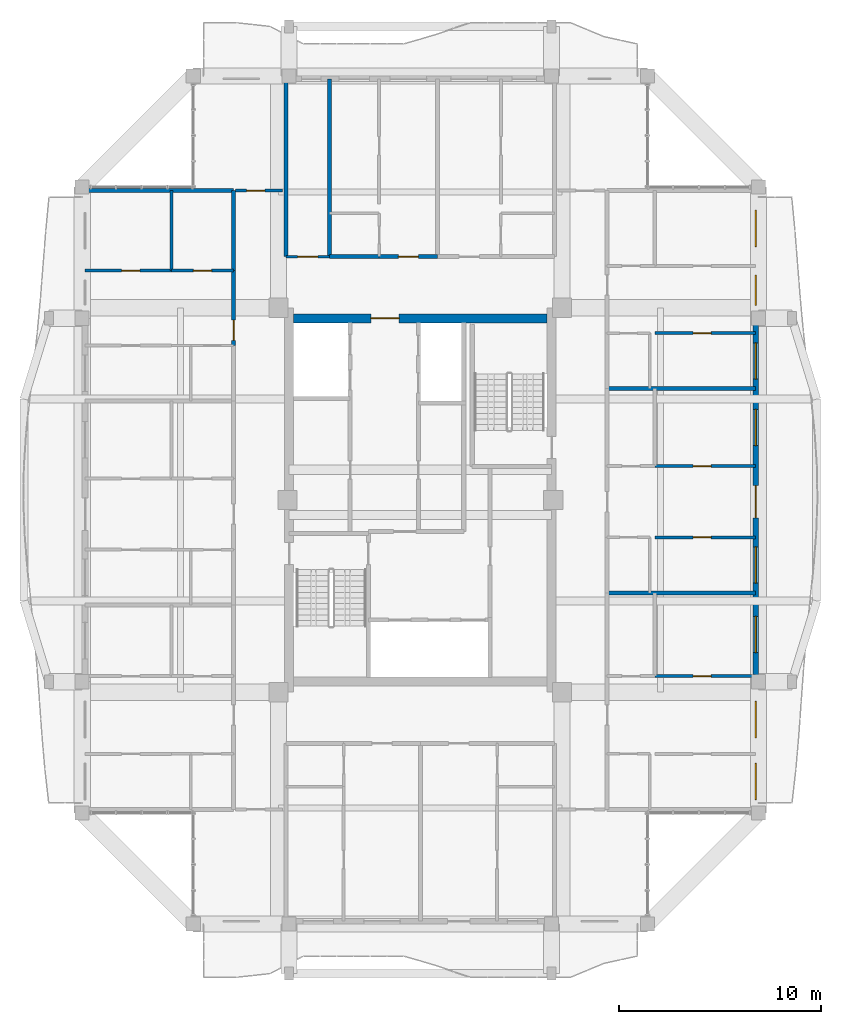
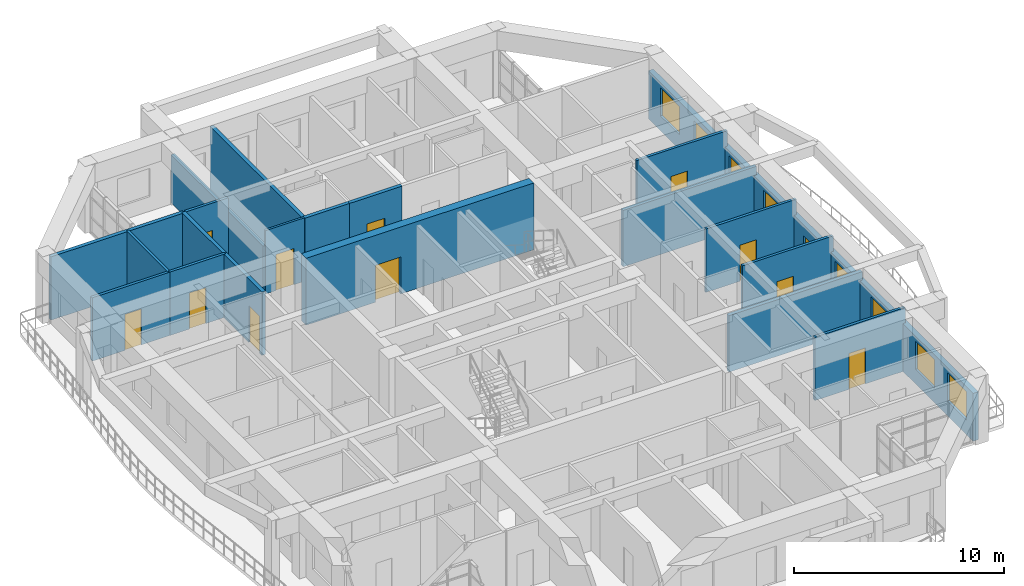
# One storey, part 19 of 27: 20 walls, 12 doors, 8 windows, 20 openings.
"""IFC4 building model written with IfcOpenShell, lengths in metres."""

from ifc_helpers import new_model, si_unit, direction, frame, frame_2d, origin, place, context, subcontext, project, spatial, rectangle, extrude, source, transform, mapped, material, layer, layer_set, type_object, element, fill, save


model = new_model("IFC4")

# Units and contexts
model_context = context("Model", 3, precision=1e-05, world=origin(), true_north=direction((0.0, 1.0)))
body_context = subcontext(model_context, "Body", "Model", "MODEL_VIEW")
ifc_project = project(units=[si_unit("LENGTHUNIT", "METRE"), si_unit("AREAUNIT", "SQUARE_METRE"), si_unit("VOLUMEUNIT", "CUBIC_METRE"), si_unit("PLANEANGLEUNIT", "RADIAN"), si_unit("MASSUNIT", "GRAM", prefix="KILO")], contexts=[model_context])

# Site, building, storey
site_placement = place(None, origin())
site = spatial("IfcSite", under=ifc_project, at=site_placement, CompositionType="ELEMENT")
building_placement = place(site_placement, origin())
building = spatial("IfcBuilding", under=site, at=building_placement, Name="Saelheon Loggia Tower", CompositionType="ELEMENT")
storey_placement = place(building_placement, frame((0.0, 0.0, 226.199951171875)))
storey = spatial("IfcBuildingStorey", under=building, at=storey_placement, Name="L70", CompositionType="ELEMENT", Elevation=226.199951171875)

# Wall, opening, door
ifc_material_1 = material(Name="Concrete C45/55", Category="concrete")
ifc_layer_1 = layer(ifc_material_1, 0.449951171875)
ifc_layer_set_1 = layer_set([ifc_layer_1], Name="Concrete C45/55")
wall_type_1 = type_object("IfcWallType", Name="Wall_CoreShear_450", PredefinedType="SHEAR", material=ifc_layer_set_1)
wall_1_placement = place(storey_placement, frame((31.72509765625, 36.0, 0.0), z_axis=(0.0, 0.0, 1.0), x_axis=(1.0, 0.0, 0.0)))
wall_1 = element("IfcWall", 1, at=wall_1_placement, inside=storey, type_object=wall_type_1, Name="L70 Core Shear Wall North", PredefinedType="SHEAR", context=body_context, shape_type="SweptSolid", body=[
    extrude(rectangle(XDim=12.5498046875, YDim=0.449951171875, at=frame_2d((6.27490234375, 0.0))), origin(), (0.0, 0.0, 1.0), 3.900146484375),
])
opening_1_placement = place(wall_1_placement, frame((5.224853515625, 0.0, 0.0), z_axis=(0.0, 0.0, 1.0), x_axis=(-1.0, 0.0, 0.0)))
opening_1 = element("IfcOpeningElement", 2, at=opening_1_placement, cuts=wall_1, Name="Opening D-FD2L", PredefinedType="OPENING", context=body_context, shape_type="SweptSolid", body=[
    extrude(rectangle(XDim=1.39990234375, YDim=2.14990234375, at=frame_2d((0.699951171875, 1.074951171875))), frame((0.0, 0.237060546875, 0.0), z_axis=(0.0, -1.0, 0.0), x_axis=(1.0, 0.0, 0.0)), (0.0, 0.0, 1.0), 0.473876953125),
])
ifc_material_2 = material(Name="Galvanised Steel Glazed Lobby Fire Door", Category="steel")
door_type_1 = type_object("IfcDoorType", Name="Door_Fire_FD60_1400", OperationType="NOTDEFINED", PredefinedType="DOOR", material=ifc_material_2)
shared_shape_1 = source(origin(), body_context, "Body", "SweptSolid", [
    extrude(rectangle(XDim=1.39990234375, YDim=2.14990234375, at=frame_2d((0.699951171875, 1.074951171875))), frame((0.0, 0.02490234375, 0.0), z_axis=(0.0, -1.0, 0.0), x_axis=(1.0, 0.0, 0.0)), (0.0, 0.0, 1.0), 0.050048828125),
])
door_1_placement = place(opening_1_placement, origin())
door_1 = element("IfcDoor", 3, at=door_1_placement, inside=storey, type_object=door_type_1, Name="L70 Passenger Lift Lobby Main Door", OperationType="SINGLE_SWING_RIGHT", OverallHeight=2.14990234375, OverallWidth=1.39990234375, PredefinedType="DOOR", context=body_context, shape_type="MappedRepresentation", body=[
    mapped(shared_shape_1, transform((0.0, 0.0, 0.0), scale=1.0)),
])
fill(opening_1, door_1)

# Wall, openings, windows, door
ifc_material_3 = material(Name="Architectural Precast Concrete C40/50", Category="concrete")
ifc_layer_2 = layer(ifc_material_3, 0.280029296875)
ifc_layer_set_2 = layer_set([ifc_layer_2], Name="Architectural Precast Concrete C40/50")
wall_type_2 = type_object("IfcWallType", Name="Wall_Ext_Loggia_280", PredefinedType="SOLIDWALL", material=ifc_layer_set_2)
wall_2_placement = place(storey_placement, frame((54.610107421875, 11.5, 0.0), z_axis=(0.0, 0.0, 1.0), x_axis=(0.0, 1.0, 0.0)))
wall_2 = element("IfcWall", 4, at=wall_2_placement, inside=storey, type_object=wall_type_2, Name="L70 East Loggia Inner Wall", PredefinedType="SOLIDWALL", context=body_context, shape_type="SweptSolid", body=[
    extrude(rectangle(XDim=31.0, YDim=0.280029296875, at=frame_2d((15.5, 0.0))), origin(), (0.0, 0.0, 1.0), 2.7900390625),
])
opening_2_placement = place(wall_2_placement, frame((0.659912109375, 0.0, 0.85009765625)))
opening_2 = element("IfcOpeningElement", 5, at=opening_2_placement, cuts=wall_2, Name="Opening WN-01", PredefinedType="OPENING", context=body_context, shape_type="SweptSolid", body=[
    extrude(rectangle(XDim=1.800048828125, YDim=1.64990234375, at=frame_2d((0.89990234375, 0.824951171875))), frame((0.0, 0.152099609375, 0.0), z_axis=(0.0, -1.0, 0.0), x_axis=(1.0, 0.0, 0.0)), (0.0, 0.0, 1.0), 0.303955078125),
])
opening_3_placement = place(wall_2_placement, frame((3.719970703125, 0.0, 0.85009765625)))
opening_3 = element("IfcOpeningElement", 6, at=opening_3_placement, cuts=wall_2, Name="Opening WN-01", PredefinedType="OPENING", context=body_context, shape_type="SweptSolid", body=[
    extrude(rectangle(XDim=1.800048828125, YDim=1.64990234375, at=frame_2d((0.89990234375, 0.824951171875))), frame((0.0, 0.152099609375, 0.0), z_axis=(0.0, -1.0, 0.0), x_axis=(1.0, 0.0, 0.0)), (0.0, 0.0, 1.0), 0.303955078125),
])
opening_4_placement = place(wall_2_placement, frame((7.94189453125, 0.0, 0.85009765625)))
opening_4 = element("IfcOpeningElement", 7, at=opening_4_placement, cuts=wall_2, Name="Opening WN-01", PredefinedType="OPENING", context=body_context, shape_type="SweptSolid", body=[
    extrude(rectangle(XDim=1.800048828125, YDim=1.64990234375, at=frame_2d((0.89990234375, 0.824951171875))), frame((0.0, 0.152099609375, 0.0), z_axis=(0.0, -1.0, 0.0), x_axis=(1.0, 0.0, 0.0)), (0.0, 0.0, 1.0), 0.303955078125),
])
opening_5_placement = place(wall_2_placement, frame((11.37890625, 0.0, 0.85009765625)))
opening_5 = element("IfcOpeningElement", 8, at=opening_5_placement, cuts=wall_2, Name="Opening WN-01", PredefinedType="OPENING", context=body_context, shape_type="SweptSolid", body=[
    extrude(rectangle(XDim=1.800048828125, YDim=1.64990234375, at=frame_2d((0.89990234375, 0.824951171875))), frame((0.0, 0.152099609375, 0.0), z_axis=(0.0, -1.0, 0.0), x_axis=(1.0, 0.0, 0.0)), (0.0, 0.0, 1.0), 0.303955078125),
])
opening_6_placement = place(wall_2_placement, frame((16.21337890625, 0.0, 0.0), z_axis=(0.0, 0.0, 1.0), x_axis=(-1.0, 0.0, 0.0)))
opening_6 = element("IfcOpeningElement", 9, at=opening_6_placement, cuts=wall_2, Name="Opening DLG-1", PredefinedType="OPENING", context=body_context, shape_type="SweptSolid", body=[
    extrude(rectangle(XDim=1.60009765625, YDim=2.14990234375, at=frame_2d((0.800048828125, 1.074951171875))), frame((0.0, 0.152099609375, 0.0), z_axis=(0.0, -1.0, 0.0), x_axis=(1.0, 0.0, 0.0)), (0.0, 0.0, 1.0), 0.303955078125),
])
opening_7_placement = place(wall_2_placement, frame((18.194091796875, 0.0, 0.85009765625)))
opening_7 = element("IfcOpeningElement", 10, at=opening_7_placement, cuts=wall_2, Name="Opening WN-01", PredefinedType="OPENING", context=body_context, shape_type="SweptSolid", body=[
    extrude(rectangle(XDim=1.800048828125, YDim=1.64990234375, at=frame_2d((0.89990234375, 0.824951171875))), frame((0.0, 0.152099609375, 0.0), z_axis=(0.0, -1.0, 0.0), x_axis=(1.0, 0.0, 0.0)), (0.0, 0.0, 1.0), 0.303955078125),
])
opening_8_placement = place(wall_2_placement, frame((21.48779296875, 0.0, 0.85009765625)))
opening_8 = element("IfcOpeningElement", 11, at=opening_8_placement, cuts=wall_2, Name="Opening WN-01", PredefinedType="OPENING", context=body_context, shape_type="SweptSolid", body=[
    extrude(rectangle(XDim=1.800048828125, YDim=1.64990234375, at=frame_2d((0.89990234375, 0.824951171875))), frame((0.0, 0.152099609375, 0.0), z_axis=(0.0, -1.0, 0.0), x_axis=(1.0, 0.0, 0.0)), (0.0, 0.0, 1.0), 0.303955078125),
])
opening_9_placement = place(wall_2_placement, frame((25.14208984375, 0.0, 0.85009765625)))
opening_9 = element("IfcOpeningElement", 12, at=opening_9_placement, cuts=wall_2, Name="Opening WN-02", PredefinedType="OPENING", context=body_context, shape_type="SweptSolid", body=[
    extrude(rectangle(XDim=1.5, YDim=1.64990234375, at=frame_2d((0.75, 0.824951171875))), frame((0.0, 0.152099609375, 0.0), z_axis=(0.0, -1.0, 0.0), x_axis=(1.0, 0.0, 0.0)), (0.0, 0.0, 1.0), 0.303955078125),
])
opening_10_placement = place(wall_2_placement, frame((28.052001953125, 0.0, 0.85009765625)))
opening_10 = element("IfcOpeningElement", 13, at=opening_10_placement, cuts=wall_2, Name="Opening WN-01", PredefinedType="OPENING", context=body_context, shape_type="SweptSolid", body=[
    extrude(rectangle(XDim=1.800048828125, YDim=1.64990234375, at=frame_2d((0.89990234375, 0.824951171875))), frame((0.0, 0.152099609375, 0.0), z_axis=(0.0, -1.0, 0.0), x_axis=(1.0, 0.0, 0.0)), (0.0, 0.0, 1.0), 0.303955078125),
])
ifc_material_4 = material(Name="Thermal-Break Aluminium and Triple Low-E Glass", Category="aluminium")
window_type_1 = type_object("IfcWindowType", Name="Win_Dwelling_1800x1650", PartitioningType="SINGLE_PANEL", PredefinedType="WINDOW", material=ifc_material_4)
shared_shape_2 = source(origin(), body_context, "Body", "SweptSolid", [
    extrude(rectangle(XDim=1.800048828125, YDim=1.64990234375, at=frame_2d((0.89990234375, 0.824951171875))), frame((0.0, 0.030029296875, 0.0), z_axis=(0.0, -1.0, 0.0), x_axis=(1.0, 0.0, 0.0)), (0.0, 0.0, 1.0), 0.06005859375),
])
window_1_placement = place(opening_2_placement, origin())
window_1 = element("IfcWindow", 14, at=window_1_placement, inside=storey, type_object=window_type_1, Name="L70 E Dwelling Window 1", OverallHeight=1.64990234375, OverallWidth=1.800048828125, PartitioningType="SINGLE_PANEL", PredefinedType="WINDOW", context=body_context, shape_type="MappedRepresentation", body=[
    mapped(shared_shape_2, transform((0.0, 0.0, 0.0), scale=1.0)),
])
fill(opening_2, window_1)
window_2_placement = place(opening_3_placement, origin())
window_2 = element("IfcWindow", 15, at=window_2_placement, inside=storey, type_object=window_type_1, Name="L70 E Dwelling Window 2", OverallHeight=1.64990234375, OverallWidth=1.800048828125, PartitioningType="SINGLE_PANEL", PredefinedType="WINDOW", context=body_context, shape_type="MappedRepresentation", body=[
    mapped(shared_shape_2, transform((0.0, 0.0, 0.0), scale=1.0)),
])
fill(opening_3, window_2)
window_3_placement = place(opening_4_placement, origin())
window_3 = element("IfcWindow", 16, at=window_3_placement, inside=storey, type_object=window_type_1, Name="L70 E Dwelling Window 3", OverallHeight=1.64990234375, OverallWidth=1.800048828125, PartitioningType="SINGLE_PANEL", PredefinedType="WINDOW", context=body_context, shape_type="MappedRepresentation", body=[
    mapped(shared_shape_2, transform((0.0, 0.0, 0.0), scale=1.0)),
])
fill(opening_4, window_3)
window_4_placement = place(opening_5_placement, origin())
window_4 = element("IfcWindow", 17, at=window_4_placement, inside=storey, type_object=window_type_1, Name="L70 E Dwelling Window 4", OverallHeight=1.64990234375, OverallWidth=1.800048828125, PartitioningType="SINGLE_PANEL", PredefinedType="WINDOW", context=body_context, shape_type="MappedRepresentation", body=[
    mapped(shared_shape_2, transform((0.0, 0.0, 0.0), scale=1.0)),
])
fill(opening_5, window_4)
window_5_placement = place(opening_7_placement, origin())
window_5 = element("IfcWindow", 18, at=window_5_placement, inside=storey, type_object=window_type_1, Name="L70 E Dwelling Window 6", OverallHeight=1.64990234375, OverallWidth=1.800048828125, PartitioningType="SINGLE_PANEL", PredefinedType="WINDOW", context=body_context, shape_type="MappedRepresentation", body=[
    mapped(shared_shape_2, transform((0.0, 0.0, 0.0), scale=1.0)),
])
fill(opening_7, window_5)
window_6_placement = place(opening_8_placement, origin())
window_6 = element("IfcWindow", 19, at=window_6_placement, inside=storey, type_object=window_type_1, Name="L70 E Dwelling Window 7", OverallHeight=1.64990234375, OverallWidth=1.800048828125, PartitioningType="SINGLE_PANEL", PredefinedType="WINDOW", context=body_context, shape_type="MappedRepresentation", body=[
    mapped(shared_shape_2, transform((0.0, 0.0, 0.0), scale=1.0)),
])
fill(opening_8, window_6)
window_7_placement = place(opening_10_placement, origin())
window_7 = element("IfcWindow", 20, at=window_7_placement, inside=storey, type_object=window_type_1, Name="L70 E Dwelling Window 9", OverallHeight=1.64990234375, OverallWidth=1.800048828125, PartitioningType="SINGLE_PANEL", PredefinedType="WINDOW", context=body_context, shape_type="MappedRepresentation", body=[
    mapped(shared_shape_2, transform((0.0, 0.0, 0.0), scale=1.0)),
])
fill(opening_10, window_7)
ifc_material_5 = material(Name="Thermal-Break Aluminium Sliding Glazed Door", Category="aluminium")
door_type_2 = type_object("IfcDoorType", Name="Door_LoggiaSlide_1600", OperationType="SLIDING_TO_LEFT", PredefinedType="DOOR", material=ifc_material_5)
shared_shape_3 = source(origin(), body_context, "Body", "SweptSolid", [
    extrude(rectangle(XDim=1.60009765625, YDim=2.14990234375, at=frame_2d((0.800048828125, 1.074951171875))), frame((0.0, 0.02490234375, 0.0), z_axis=(0.0, -1.0, 0.0), x_axis=(1.0, 0.0, 0.0)), (0.0, 0.0, 1.0), 0.050048828125),
])
door_2_placement = place(opening_6_placement, origin())
door_2 = element("IfcDoor", 21, at=door_2_placement, inside=storey, type_object=door_type_2, Name="L70 E Loggia Access Door", OperationType="SLIDING_TO_LEFT", OverallHeight=2.14990234375, OverallWidth=1.60009765625, PredefinedType="DOOR", context=body_context, shape_type="MappedRepresentation", body=[
    mapped(shared_shape_3, transform((0.0, 0.0, 0.0), scale=1.0)),
])
fill(opening_6, door_2)
window_type_2 = type_object("IfcWindowType", Name="Win_Dwelling_1500x1650", PartitioningType="SINGLE_PANEL", PredefinedType="WINDOW", material=ifc_material_4)
shared_shape_4 = source(origin(), body_context, "Body", "SweptSolid", [
    extrude(rectangle(XDim=1.5, YDim=1.64990234375, at=frame_2d((0.75, 0.824951171875))), frame((0.0, 0.030029296875, 0.0), z_axis=(0.0, -1.0, 0.0), x_axis=(1.0, 0.0, 0.0)), (0.0, 0.0, 1.0), 0.06005859375),
])
window_8_placement = place(opening_9_placement, origin())
window_8 = element("IfcWindow", 22, at=window_8_placement, inside=storey, type_object=window_type_2, Name="L70 E Dwelling Window 8", OverallHeight=1.64990234375, OverallWidth=1.5, PartitioningType="SINGLE_PANEL", PredefinedType="WINDOW", context=body_context, shape_type="MappedRepresentation", body=[
    mapped(shared_shape_4, transform((0.0, 0.0, 0.0), scale=1.0)),
])
fill(opening_9, window_8)

# Wall, opening, door
ifc_material_6 = material(Name="Lightweight Autoclaved Aerated Concrete Block and Acoustic Gypsum", Category="concrete")
ifc_layer_3 = layer(ifc_material_6, 0.14990234375)
ifc_layer_set_3 = layer_set([ifc_layer_3], Name="Lightweight Autoclaved Aerated Concrete Block and Acoustic Gypsum")
wall_type_3 = type_object("IfcWallType", Name="Wall_Part_150", PredefinedType="PARTITIONING", material=ifc_layer_set_3)
wall_3_placement = place(storey_placement, frame((28.85009765625, 42.320068359375, 0.0), z_axis=(0.0, 0.0, 1.0), x_axis=(1.0, 0.0, 0.0)))
wall_3 = element("IfcWall", 23, at=wall_3_placement, inside=storey, type_object=wall_type_3, Name="PW-L70-CNW-H", PredefinedType="PARTITIONING", context=body_context, shape_type="SweptSolid", body=[
    extrude(rectangle(XDim=2.329833984375, YDim=0.14990234375, at=frame_2d((1.1650390625, 0.0))), origin(), (0.0, 0.0, 1.0), 3.68994140625),
])
opening_11_placement = place(wall_3_placement, frame((0.550048828125, 0.0, 0.0)))
opening_11 = element("IfcOpeningElement", 24, at=opening_11_placement, cuts=wall_3, Name="Opening D-IN2", PredefinedType="OPENING", context=body_context, shape_type="SweptSolid", body=[
    extrude(rectangle(XDim=0.89990234375, YDim=2.10009765625, at=frame_2d((0.449951171875, 1.050048828125))), frame((0.0, 0.0869140625, 0.0), z_axis=(0.0, -1.0, 0.0), x_axis=(1.0, 0.0, 0.0)), (0.0, 0.0, 1.0), 0.173828125),
])
ifc_material_7 = material(Name="Engineered Oak Flush Door", Category="timber")
door_type_3 = type_object("IfcDoorType", Name="Door_Int_900", OperationType="NOTDEFINED", PredefinedType="DOOR", material=ifc_material_7)
shared_shape_5 = source(origin(), body_context, "Body", "SweptSolid", [
    extrude(rectangle(XDim=0.89990234375, YDim=2.10009765625, at=frame_2d((0.449951171875, 1.050048828125))), frame((0.0, 0.02490234375, 0.0), z_axis=(0.0, -1.0, 0.0), x_axis=(1.0, 0.0, 0.0)), (0.0, 0.0, 1.0), 0.050048828125),
])
door_3_placement = place(opening_11_placement, origin())
door_3 = element("IfcDoor", 25, at=door_3_placement, inside=storey, type_object=door_type_3, Name="L70 Corner Home Office NW Door", OperationType="SINGLE_SWING_LEFT", OverallHeight=2.10009765625, OverallWidth=0.89990234375, PredefinedType="DOOR", context=body_context, shape_type="MappedRepresentation", body=[
    mapped(shared_shape_5, transform((0.0, 0.0, 0.0), scale=1.0)),
])
fill(opening_11, door_3)

# Wall
wall_4_placement = place(storey_placement, frame((25.669921875, 38.361328125, 0.0), z_axis=(0.0, 0.0, 1.0), x_axis=(0.0, 1.0, 0.0)))
element("IfcWall", 26, at=wall_4_placement, inside=storey, type_object=wall_type_3, Name="L70 W Partition V29", PredefinedType="PARTITIONING", context=body_context, shape_type="SweptSolid", body=[
    extrude(rectangle(XDim=3.958740234375, YDim=0.14990234375, at=frame_2d((1.9794921875, 0.0))), origin(), (0.0, 0.0, 1.0), 3.68994140625),
])

# Wall, opening, door
wall_5_placement = place(storey_placement, frame((28.75, 38.361328125, 0.0), z_axis=(0.0, 0.0, 1.0), x_axis=(-1.0, 0.0, 0.0)))
wall_5 = element("IfcWall", 27, at=wall_5_placement, inside=storey, type_object=wall_type_3, Name="L70 W Partition U33", PredefinedType="PARTITIONING", context=body_context, shape_type="SweptSolid", body=[
    extrude(rectangle(XDim=3.080078125, YDim=0.14990234375, at=frame_2d((1.5400390625, 0.0))), origin(), (0.0, 0.0, 1.0), 3.68994140625),
])
opening_12_placement = place(wall_5_placement, frame((1.090087890625, 0.0, 0.0)))
opening_12 = element("IfcOpeningElement", 28, at=opening_12_placement, cuts=wall_5, Name="Opening D-IN2", PredefinedType="OPENING", context=body_context, shape_type="SweptSolid", body=[
    extrude(rectangle(XDim=0.89990234375, YDim=2.10009765625, at=frame_2d((0.449951171875, 1.050048828125))), frame((0.0, 0.0869140625, 0.0), z_axis=(0.0, -1.0, 0.0), x_axis=(1.0, 0.0, 0.0)), (0.0, 0.0, 1.0), 0.173828125),
])
door_4_placement = place(opening_12_placement, origin())
door_4 = element("IfcDoor", 29, at=door_4_placement, inside=storey, type_object=door_type_3, Name="Unit U07 Dressing Closet Door", OperationType="SINGLE_SWING_RIGHT", OverallHeight=2.10009765625, OverallWidth=0.89990234375, PredefinedType="DOOR", context=body_context, shape_type="MappedRepresentation", body=[
    mapped(shared_shape_5, transform((0.0, 0.0, 0.0), scale=1.0)),
])
fill(opening_12, door_4)

wall_6_placement = place(storey_placement, frame((25.669921875, 38.361328125, 0.0), z_axis=(0.0, 0.0, 1.0), x_axis=(-1.0, 0.0, 0.0)))
wall_6 = element("IfcWall", 30, at=wall_6_placement, inside=storey, type_object=wall_type_3, Name="L70 W Partition U34", PredefinedType="PARTITIONING", context=body_context, shape_type="SweptSolid", body=[
    extrude(rectangle(XDim=4.27001953125, YDim=0.14990234375, at=frame_2d((2.135009765625, 0.0))), origin(), (0.0, 0.0, 1.0), 3.68994140625),
])
opening_13_placement = place(wall_6_placement, frame((1.564697265625, 0.0, 0.0)))
opening_13 = element("IfcOpeningElement", 31, at=opening_13_placement, cuts=wall_6, Name="Opening D-IN2", PredefinedType="OPENING", context=body_context, shape_type="SweptSolid", body=[
    extrude(rectangle(XDim=0.89990234375, YDim=2.10009765625, at=frame_2d((0.449951171875, 1.050048828125))), frame((0.0, 0.0869140625, 0.0), z_axis=(0.0, -1.0, 0.0), x_axis=(1.0, 0.0, 0.0)), (0.0, 0.0, 1.0), 0.173828125),
])
door_5_placement = place(opening_13_placement, origin())
door_5 = element("IfcDoor", 32, at=door_5_placement, inside=storey, type_object=door_type_3, Name="Unit U07 Bedroom 1 Door", OperationType="SINGLE_SWING_LEFT", OverallHeight=2.10009765625, OverallWidth=0.89990234375, PredefinedType="DOOR", context=body_context, shape_type="MappedRepresentation", body=[
    mapped(shared_shape_5, transform((0.0, 0.0, 0.0), scale=1.0)),
])
fill(opening_13, door_5)

wall_7_placement = place(storey_placement, frame((49.610107421875, 18.280029296875, 0.0), z_axis=(0.0, 0.0, 1.0), x_axis=(1.0, 0.0, 0.0)))
wall_7 = element("IfcWall", 33, at=wall_7_placement, inside=storey, type_object=wall_type_3, Name="L70 E Partition U11", PredefinedType="PARTITIONING", context=body_context, shape_type="SweptSolid", body=[
    extrude(rectangle(XDim=4.989990234375, YDim=0.14990234375, at=frame_2d((2.4951171875, 0.0))), origin(), (0.0, 0.0, 1.0), 3.68994140625),
])
opening_14_placement = place(wall_7_placement, frame((1.89453125, 0.0, 0.0)))
opening_14 = element("IfcOpeningElement", 34, at=opening_14_placement, cuts=wall_7, Name="Opening D-IN2", PredefinedType="OPENING", context=body_context, shape_type="SweptSolid", body=[
    extrude(rectangle(XDim=0.89990234375, YDim=2.10009765625, at=frame_2d((0.449951171875, 1.050048828125))), frame((0.0, 0.0869140625, 0.0), z_axis=(0.0, -1.0, 0.0), x_axis=(1.0, 0.0, 0.0)), (0.0, 0.0, 1.0), 0.173828125),
])
door_6_placement = place(opening_14_placement, origin())
door_6 = element("IfcDoor", 35, at=door_6_placement, inside=storey, type_object=door_type_3, Name="Unit U08 Bedroom 1 Door", OperationType="SINGLE_SWING_RIGHT", OverallHeight=2.10009765625, OverallWidth=0.89990234375, PredefinedType="DOOR", context=body_context, shape_type="MappedRepresentation", body=[
    mapped(shared_shape_5, transform((0.0, 0.0, 0.0), scale=1.0)),
])
fill(opening_14, door_6)

wall_8_placement = place(storey_placement, frame((49.610107421875, 25.154052734375, 0.0), z_axis=(0.0, 0.0, 1.0), x_axis=(1.0, 0.0, 0.0)))
wall_8 = element("IfcWall", 36, at=wall_8_placement, inside=storey, type_object=wall_type_3, Name="L70 E Partition U19", PredefinedType="PARTITIONING", context=body_context, shape_type="SweptSolid", body=[
    extrude(rectangle(XDim=4.989990234375, YDim=0.14990234375, at=frame_2d((2.4951171875, 0.0))), origin(), (0.0, 0.0, 1.0), 3.68994140625),
])
opening_15_placement = place(wall_8_placement, frame((1.89453125, 0.0, 0.0)))
opening_15 = element("IfcOpeningElement", 37, at=opening_15_placement, cuts=wall_8, Name="Opening D-IN2", PredefinedType="OPENING", context=body_context, shape_type="SweptSolid", body=[
    extrude(rectangle(XDim=0.89990234375, YDim=2.10009765625, at=frame_2d((0.449951171875, 1.050048828125))), frame((0.0, 0.0869140625, 0.0), z_axis=(0.0, -1.0, 0.0), x_axis=(1.0, 0.0, 0.0)), (0.0, 0.0, 1.0), 0.173828125),
])
door_7_placement = place(opening_15_placement, origin())
door_7 = element("IfcDoor", 38, at=door_7_placement, inside=storey, type_object=door_type_3, Name="Unit U09 Kitchen Door", OperationType="SINGLE_SWING_LEFT", OverallHeight=2.10009765625, OverallWidth=0.89990234375, PredefinedType="DOOR", context=body_context, shape_type="MappedRepresentation", body=[
    mapped(shared_shape_5, transform((0.0, 0.0, 0.0), scale=1.0)),
])
fill(opening_15, door_7)

wall_9_placement = place(storey_placement, frame((49.610107421875, 28.6728515625, 0.0), z_axis=(0.0, 0.0, 1.0), x_axis=(1.0, 0.0, 0.0)))
wall_9 = element("IfcWall", 39, at=wall_9_placement, inside=storey, type_object=wall_type_3, Name="L70 E Partition U21", PredefinedType="PARTITIONING", context=body_context, shape_type="SweptSolid", body=[
    extrude(rectangle(XDim=4.989990234375, YDim=0.14990234375, at=frame_2d((2.4951171875, 0.0))), origin(), (0.0, 0.0, 1.0), 3.68994140625),
])
opening_16_placement = place(wall_9_placement, frame((1.89453125, 0.0, 0.0)))
opening_16 = element("IfcOpeningElement", 40, at=opening_16_placement, cuts=wall_9, Name="Opening D-IN2", PredefinedType="OPENING", context=body_context, shape_type="SweptSolid", body=[
    extrude(rectangle(XDim=0.89990234375, YDim=2.10009765625, at=frame_2d((0.449951171875, 1.050048828125))), frame((0.0, 0.0869140625, 0.0), z_axis=(0.0, -1.0, 0.0), x_axis=(1.0, 0.0, 0.0)), (0.0, 0.0, 1.0), 0.173828125),
])
door_8_placement = place(opening_16_placement, origin())
door_8 = element("IfcDoor", 41, at=door_8_placement, inside=storey, type_object=door_type_3, Name="Unit U09 Bedroom 1 Door", OperationType="SINGLE_SWING_LEFT", OverallHeight=2.10009765625, OverallWidth=0.89990234375, PredefinedType="DOOR", context=body_context, shape_type="MappedRepresentation", body=[
    mapped(shared_shape_5, transform((0.0, 0.0, 0.0), scale=1.0)),
])
fill(opening_16, door_8)

wall_10_placement = place(storey_placement, frame((49.610107421875, 35.260498046875, 0.0), z_axis=(0.0, 0.0, 1.0), x_axis=(1.0, 0.0, 0.0)))
wall_10 = element("IfcWall", 42, at=wall_10_placement, inside=storey, type_object=wall_type_3, Name="L70 E Partition U29", PredefinedType="PARTITIONING", context=body_context, shape_type="SweptSolid", body=[
    extrude(rectangle(XDim=4.989990234375, YDim=0.14990234375, at=frame_2d((2.4951171875, 0.0))), origin(), (0.0, 0.0, 1.0), 3.68994140625),
])
opening_17_placement = place(wall_10_placement, frame((1.89453125, 0.0, 0.0)))
opening_17 = element("IfcOpeningElement", 43, at=opening_17_placement, cuts=wall_10, Name="Opening D-IN2", PredefinedType="OPENING", context=body_context, shape_type="SweptSolid", body=[
    extrude(rectangle(XDim=0.89990234375, YDim=2.10009765625, at=frame_2d((0.449951171875, 1.050048828125))), frame((0.0, 0.0869140625, 0.0), z_axis=(0.0, -1.0, 0.0), x_axis=(1.0, 0.0, 0.0)), (0.0, 0.0, 1.0), 0.173828125),
])
door_9_placement = place(opening_17_placement, origin())
door_9 = element("IfcDoor", 44, at=door_9_placement, inside=storey, type_object=door_type_3, Name="Unit U10 Kitchen Door", OperationType="SINGLE_SWING_RIGHT", OverallHeight=2.10009765625, OverallWidth=0.89990234375, PredefinedType="DOOR", context=body_context, shape_type="MappedRepresentation", body=[
    mapped(shared_shape_5, transform((0.0, 0.0, 0.0), scale=1.0)),
])
fill(opening_17, door_9)

# Walls
ifc_material_8 = material(Name="Double Acoustic Stud and Fireboard Partition", Category="gypsum")
ifc_layer_4 = layer(ifc_material_8, 0.199951171875)
ifc_layer_set_4 = layer_set([ifc_layer_4], Name="Double Acoustic Stud and Fireboard Partition")
wall_type_4 = type_object("IfcWallType", Name="Wall_Party_200", PredefinedType="PARTITIONING", material=ifc_layer_set_4)
wall_11_placement = place(storey_placement, frame((31.35009765625, 39.050048828125, 0.0), z_axis=(0.0, 0.0, 1.0), x_axis=(0.0, 1.0, 0.0)))
element("IfcWall", 45, at=wall_11_placement, inside=storey, type_object=wall_type_4, Name="L70 N Partition U01", PredefinedType="PARTITIONING", context=body_context, shape_type="SweptSolid", body=[
    extrude(rectangle(XDim=8.800048828125, YDim=0.199951171875, at=frame_2d((4.39990234375, 0.0))), origin(), (0.0, 0.0, 1.0), 2.7900390625),
])
wall_12_placement = place(storey_placement, frame((33.5, 39.050048828125, 0.0), z_axis=(0.0, 0.0, 1.0), x_axis=(0.0, 1.0, 0.0)))
element("IfcWall", 46, at=wall_12_placement, inside=storey, type_object=wall_type_4, Name="L70 N Partition U03", PredefinedType="PARTITIONING", context=body_context, shape_type="SweptSolid", body=[
    extrude(rectangle(XDim=8.800048828125, YDim=0.199951171875, at=frame_2d((4.39990234375, 0.0))), origin(), (0.0, 0.0, 1.0), 3.68994140625),
])
wall_13_placement = place(storey_placement, frame((33.5, 39.050048828125, 0.0), z_axis=(0.0, 0.0, 1.0), x_axis=(1.0, 0.0, 0.0)))
element("IfcWall", 47, at=wall_13_placement, inside=storey, type_object=wall_type_4, Name="L70 N Partition V05", PredefinedType="PARTITIONING", context=body_context, shape_type="SweptSolid", body=[
    extrude(rectangle(XDim=2.4619140625, YDim=0.199951171875, at=frame_2d((1.23095703125, 0.0))), origin(), (0.0, 0.0, 1.0), 3.68994140625),
])

# Wall, opening, door
wall_14_placement = place(storey_placement, frame((35.9619140625, 39.050048828125, 0.0), z_axis=(0.0, 0.0, 1.0), x_axis=(1.0, 0.0, 0.0)))
wall_14 = element("IfcWall", 48, at=wall_14_placement, inside=storey, type_object=wall_type_4, Name="L70 N Partition V06", PredefinedType="PARTITIONING", context=body_context, shape_type="SweptSolid", body=[
    extrude(rectangle(XDim=2.89013671875, YDim=0.199951171875, at=frame_2d((1.445068359375, 0.0))), origin(), (0.0, 0.0, 1.0), 3.68994140625),
])
opening_18_placement = place(wall_14_placement, frame((0.945068359375, 0.0, 0.0)))
opening_18 = element("IfcOpeningElement", 49, at=opening_18_placement, cuts=wall_14, Name="Opening D-FD1", PredefinedType="OPENING", context=body_context, shape_type="SweptSolid", body=[
    extrude(rectangle(XDim=1.0, YDim=2.14990234375, at=frame_2d((0.5, 1.074951171875))), frame((0.0, 0.112060546875, 0.0), z_axis=(0.0, -1.0, 0.0), x_axis=(1.0, 0.0, 0.0)), (0.0, 0.0, 1.0), 0.223876953125),
])
ifc_material_9 = material(Name="Fire-Rated Engineered Timber Entrance Door", Category="wood")
door_type_4 = type_object("IfcDoorType", Name="Door_Flat_FD30S", OperationType="NOTDEFINED", PredefinedType="DOOR", material=ifc_material_9)
shared_shape_6 = source(origin(), body_context, "Body", "SweptSolid", [
    extrude(rectangle(XDim=1.0, YDim=2.14990234375, at=frame_2d((0.5, 1.074951171875))), frame((0.0, 0.02490234375, 0.0), z_axis=(0.0, -1.0, 0.0), x_axis=(1.0, 0.0, 0.0)), (0.0, 0.0, 1.0), 0.050048828125),
])
door_10_placement = place(opening_18_placement, origin())
door_10 = element("IfcDoor", 50, at=door_10_placement, inside=storey, type_object=door_type_4, Name="Unit U03 Entrance Door", OperationType="SINGLE_SWING_LEFT", OverallHeight=2.14990234375, OverallWidth=1.0, PredefinedType="DOOR", context=body_context, shape_type="MappedRepresentation", body=[
    mapped(shared_shape_6, transform((0.0, 0.0, 0.0), scale=1.0)),
])
fill(opening_18, door_10)

# Wall
wall_15_placement = place(storey_placement, frame((28.75, 42.320068359375, 0.0), z_axis=(0.0, 0.0, 1.0), x_axis=(-1.0, 0.0, 0.0)))
element("IfcWall", 51, at=wall_15_placement, inside=storey, type_object=wall_type_4, Name="L70 W Partition U02", PredefinedType="PARTITIONING", context=body_context, shape_type="SweptSolid", body=[
    extrude(rectangle(XDim=7.35009765625, YDim=0.199951171875, at=frame_2d((3.675048828125, 0.0))), origin(), (0.0, 0.0, 1.0), 3.68994140625),
])

# Wall, opening, door
wall_16_placement = place(storey_placement, frame((28.75, 34.65234375, 0.0), z_axis=(0.0, 0.0, 1.0), x_axis=(0.0, 1.0, 0.0)))
wall_16 = element("IfcWall", 52, at=wall_16_placement, inside=storey, type_object=wall_type_4, Name="L70 W Partition V26", PredefinedType="PARTITIONING", context=body_context, shape_type="SweptSolid", body=[
    extrude(rectangle(XDim=3.708984375, YDim=0.199951171875, at=frame_2d((1.8544921875, 0.0))), origin(), (0.0, 0.0, 1.0), 3.68994140625),
])
opening_19_placement = place(wall_16_placement, frame((0.260009765625, 0.0, 0.0)))
opening_19 = element("IfcOpeningElement", 53, at=opening_19_placement, cuts=wall_16, Name="Opening D-FD1", PredefinedType="OPENING", context=body_context, shape_type="SweptSolid", body=[
    extrude(rectangle(XDim=1.0, YDim=2.14990234375, at=frame_2d((0.5, 1.074951171875))), frame((0.0, 0.112060546875, 0.0), z_axis=(0.0, -1.0, 0.0), x_axis=(1.0, 0.0, 0.0)), (0.0, 0.0, 1.0), 0.223876953125),
])
door_11_placement = place(opening_19_placement, origin())
door_11 = element("IfcDoor", 54, at=door_11_placement, inside=storey, type_object=door_type_4, Name="Unit U07 Entrance Door", OperationType="SINGLE_SWING_LEFT", OverallHeight=2.14990234375, OverallWidth=1.0, PredefinedType="DOOR", context=body_context, shape_type="MappedRepresentation", body=[
    mapped(shared_shape_6, transform((0.0, 0.0, 0.0), scale=1.0)),
])
fill(opening_19, door_11)

# Walls
wall_17_placement = place(storey_placement, frame((28.75, 38.361328125, 0.0), z_axis=(0.0, 0.0, 1.0), x_axis=(0.0, 1.0, 0.0)))
element("IfcWall", 55, at=wall_17_placement, inside=storey, type_object=wall_type_4, Name="L70 W Partition V27", PredefinedType="PARTITIONING", context=body_context, shape_type="SweptSolid", body=[
    extrude(rectangle(XDim=3.958740234375, YDim=0.199951171875, at=frame_2d((1.9794921875, 0.0))), origin(), (0.0, 0.0, 1.0), 3.68994140625),
])
for number, where, z_axis, x_axis, name in (
    (56, (47.25, 22.404052734375, 0.0), (0.0, 0.0, 1.0), (1.0, 0.0, 0.0), "L70 E Partition U12"),
    (57, (47.25, 32.51513671875, 0.0), (0.0, 0.0, 1.0), (1.0, 0.0, 0.0), "L70 E Partition U22"),
):
    element("IfcWall", number, at=place(storey_placement, frame(where, z_axis=z_axis, x_axis=x_axis)), inside=storey, type_object=wall_type_4, Name=name, PredefinedType="PARTITIONING", context=body_context, shape_type="SweptSolid", body=[
        extrude(rectangle(XDim=7.35009765625, YDim=0.199951171875, at=frame_2d((3.675048828125, 0.0))), origin(), (0.0, 0.0, 1.0), 3.2900390625),
    ])

# Wall, opening, door
ifc_material_10 = material(Name="Moisture-Resistant Cement Board Partition", Category="gypsum")
ifc_layer_5 = layer(ifc_material_10, 0.1201171875)
ifc_layer_set_5 = layer_set([ifc_layer_5], Name="Moisture-Resistant Cement Board Partition")
wall_type_5 = type_object("IfcWallType", Name="Wall_WetPart_120", PredefinedType="PARTITIONING", material=ifc_layer_set_5)
wall_18_placement = place(storey_placement, frame((31.35009765625, 39.050048828125, 0.0), z_axis=(0.0, 0.0, 1.0), x_axis=(1.0, 0.0, 0.0)))
wall_18 = element("IfcWall", 58, at=wall_18_placement, inside=storey, type_object=wall_type_5, Name="L70 N Partition V04", PredefinedType="PARTITIONING", context=body_context, shape_type="SweptSolid", body=[
    extrude(rectangle(XDim=2.14990234375, YDim=0.1201171875, at=frame_2d((1.074951171875, 0.0))), origin(), (0.0, 0.0, 1.0), 3.68994140625),
])
opening_20_placement = place(wall_18_placement, frame((0.574951171875, 0.0, 0.0)))
opening_20 = element("IfcOpeningElement", 59, at=opening_20_placement, cuts=wall_18, Name="Opening D-AC1", PredefinedType="OPENING", context=body_context, shape_type="SweptSolid", body=[
    extrude(rectangle(XDim=1.0, YDim=2.10009765625, at=frame_2d((0.5, 1.050048828125))), frame((0.0, 0.072021484375, 0.0), z_axis=(0.0, -1.0, 0.0), x_axis=(1.0, 0.0, 0.0)), (0.0, 0.0, 1.0), 0.14404296875),
])
ifc_material_11 = material(Name="Accessible Laminate Flush Door", Category="timber")
door_type_5 = type_object("IfcDoorType", Name="Door_Acc_1000", OperationType="NOTDEFINED", PredefinedType="DOOR", material=ifc_material_11)
shared_shape_7 = source(origin(), body_context, "Body", "SweptSolid", [
    extrude(rectangle(XDim=1.0, YDim=2.10009765625, at=frame_2d((0.5, 1.050048828125))), frame((0.0, 0.02490234375, 0.0), z_axis=(0.0, -1.0, 0.0), x_axis=(1.0, 0.0, 0.0)), (0.0, 0.0, 1.0), 0.050048828125),
])
door_12_placement = place(opening_20_placement, origin())
door_12 = element("IfcDoor", 60, at=door_12_placement, inside=storey, type_object=door_type_5, Name="L70 Floor Accessible WC Door", OperationType="SINGLE_SWING_RIGHT", OverallHeight=2.10009765625, OverallWidth=1.0, PredefinedType="DOOR", context=body_context, shape_type="MappedRepresentation", body=[
    mapped(shared_shape_7, transform((0.0, 0.0, 0.0), scale=1.0)),
])
fill(opening_20, door_12)

save(model, "model.ifc")
